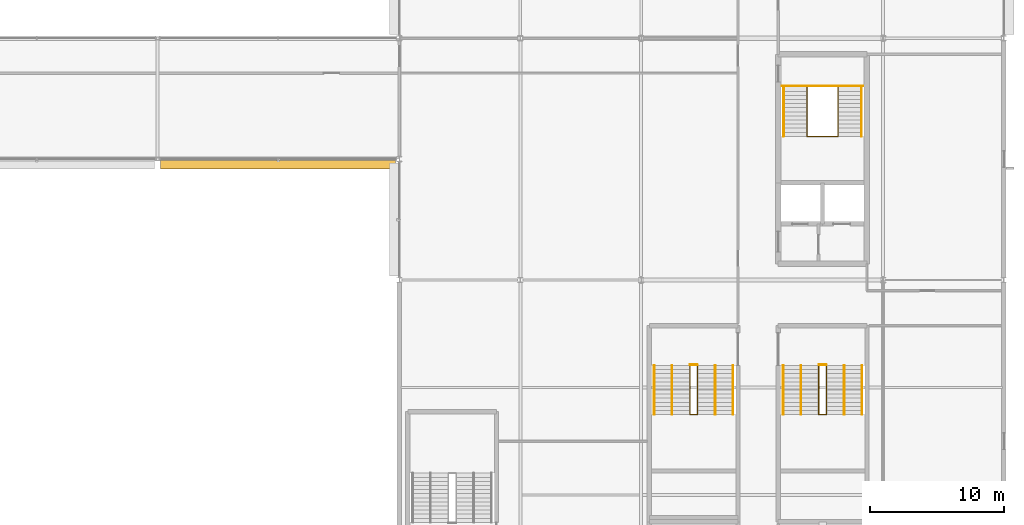
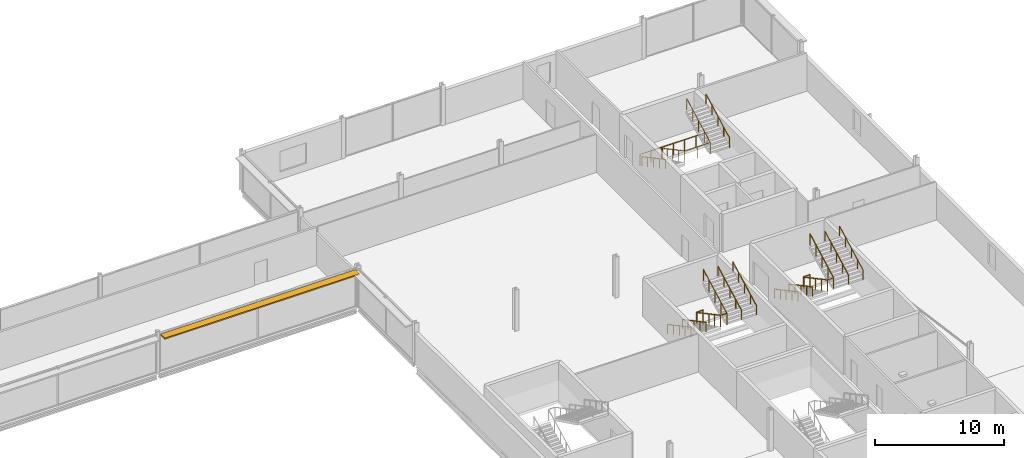
# One storey, part 96 of 98: 16 railings, 1 shading device.
"""IFC4 building model written with IfcOpenShell, lengths in metres."""

import ifcopenshell
import ifcopenshell.guid

model = None  # the IFC model being written
_history = None  # IfcOwnerHistory: only IFC2X3 demands one
_inside = {}  # id of a spatial element -> (the spatial element, [elements in it])
_under = {}  # id of a project, library or spatial element -> (it, [spatial elements below it])
_declared = {}  # id of a project -> (the project, [libraries it declares])
_typed = {}  # id of a type object -> (the type object, [elements of that type])
_made_of = {}  # id of a material, layer set ... -> (it, [elements and type objects made of it])


def new_model(schema):
    """Start an empty IFC model of exactly this schema.

    Asked for "IFC4X3", IfcOpenShell would pick the latest addendum, in which some entities
    have other attributes; the version numbers below select the first issue.
    IFC2X3 requires an IfcOwnerHistory on every rooted entity: one is made here for all.
    """
    global model, _history
    if schema == "IFC4X3":
        model = ifcopenshell.file(schema_version=(4, 3, 0, 0))
    else:
        model = ifcopenshell.file(schema=schema)
    _inside.clear()
    _under.clear()
    _declared.clear()
    _typed.clear()
    _made_of.clear()
    _history = None
    if model.schema == "IFC2X3":
        org = make("IfcOrganization", Name="unknown")
        user = make(
            "IfcPersonAndOrganization",
            ThePerson=make("IfcPerson", FamilyName="unknown"),
            TheOrganization=org,
        )
        app = make(
            "IfcApplication",
            ApplicationDeveloper=org,
            Version="unknown",
            ApplicationFullName="unknown",
            ApplicationIdentifier="unknown",
        )
        _history = make(
            "IfcOwnerHistory",
            OwningUser=user,
            OwningApplication=app,
            ChangeAction="ADDED",
            CreationDate=0,
        )
    return model


def make(cls, **values):
    """One entity of the class cls with the attributes given. An attribute that is None is left unset."""
    return model.create_entity(
        cls, **{name: value for name, value in values.items() if value is not None}
    )


def rooted(cls, **values):
    """An entity with a GlobalId (a new one), such as an element, a storey or a relation."""
    return make(cls, GlobalId=ifcopenshell.guid.new(), OwnerHistory=_history, **values)


def si_unit(unit_type, name, prefix=None):
    """IfcSIUnit, for example si_unit("LENGTHUNIT", "METRE", prefix="MILLI")."""
    return make("IfcSIUnit", UnitType=unit_type, Prefix=prefix, Name=name)


def assignment(units):
    """IfcUnitAssignment: the units of a project."""
    return None if units is None else make("IfcUnitAssignment", Units=units)


def point(xyz):
    """IfcCartesianPoint."""
    return None if xyz is None else make("IfcCartesianPoint", Coordinates=xyz)


def direction(xyz):
    """IfcDirection."""
    return None if xyz is None else make("IfcDirection", DirectionRatios=xyz)


def frame(location, z_axis=None, x_axis=None):
    """IfcAxis2Placement3D, a coordinate frame: its origin and axes. An axis left out is left unset."""
    return make(
        "IfcAxis2Placement3D",
        Location=point(location),
        Axis=direction(z_axis),
        RefDirection=direction(x_axis),
    )


def frame_2d(location, x_axis=None):
    """IfcAxis2Placement2D, a coordinate frame in the plane: its origin and x axis."""
    return make(
        "IfcAxis2Placement2D", Location=point(location), RefDirection=direction(x_axis)
    )


def origin():
    """The frame at (0, 0, 0) with its axes left unset."""
    return frame((0.0, 0.0, 0.0))


def origin_2d():
    """The frame at (0, 0) in the plane with its x axis left unset."""
    return frame_2d((0.0, 0.0))


def place(relative_to, where):
    """IfcLocalPlacement: puts the frame where relative to a parent placement (None: the world)."""
    return make(
        "IfcLocalPlacement", PlacementRelTo=relative_to, RelativePlacement=where
    )


def context(
    kind, dimensions, precision=None, world=None, true_north=None, identifier=None
):
    """IfcGeometricRepresentationContext, for example the 3D "Model" context."""
    return make(
        "IfcGeometricRepresentationContext",
        ContextIdentifier=identifier,
        ContextType=kind,
        CoordinateSpaceDimension=dimensions,
        Precision=precision,
        WorldCoordinateSystem=world,
        TrueNorth=true_north,
    )


def subcontext(parent, identifier, kind, view, scale=None):
    """IfcGeometricRepresentationSubContext, for example "Body" below "Model"."""
    return make(
        "IfcGeometricRepresentationSubContext",
        ContextIdentifier=identifier,
        ContextType=kind,
        ParentContext=parent,
        TargetScale=scale,
        TargetView=view,
    )


def project(units=None, contexts=None):
    """IfcProject with its units and contexts."""
    return rooted(
        "IfcProject",
        Name="project",
        RepresentationContexts=contexts,
        UnitsInContext=assignment(units),
    )


def spatial(cls, under=None, at=None, **own):
    """A site, building, storey or space (cls), placed at a placement, below another one or the project."""
    s = rooted(cls, ObjectPlacement=at, **own)
    if under is not None:
        _under.setdefault(under.id(), (under, []))[1].append(s)
    return s


def profile(cls, at=None, kind="AREA", **sizes):
    """A parametric profile (cls). Its sizes go by their IFC names, for example OverallWidth=200.0."""
    return make(cls, ProfileType=kind, Position=at, **sizes)


def rectangle(**sizes):
    """IfcRectangleProfileDef."""
    return profile("IfcRectangleProfileDef", **sizes)


def circle(**sizes):
    """IfcCircleProfileDef."""
    return profile("IfcCircleProfileDef", **sizes)


def extrude(swept, where, along, depth):
    """IfcExtrudedAreaSolid: the profile swept, set in the frame where, extruded along a direction by depth."""
    return make(
        "IfcExtrudedAreaSolid",
        SweptArea=swept,
        Position=where,
        ExtrudedDirection=direction(along),
        Depth=depth,
    )


def shape(context_of_items, identifier, shape_type, items):
    """IfcShapeRepresentation: the items that make up one representation, for example the "Body"."""
    return make(
        "IfcShapeRepresentation",
        ContextOfItems=context_of_items,
        RepresentationIdentifier=identifier,
        RepresentationType=shape_type,
        Items=items,
    )


def material(Name=None, Category=None):
    """IfcMaterial."""
    return make("IfcMaterial", Name=Name, Category=Category)


def made_of(thing, what):
    """Note that an element or type object is made of a material, layer set ...; save() writes the relation."""
    if what is not None:
        _made_of.setdefault(what.id(), (what, []))[1].append(thing)
    return thing


def type_object(cls, material=None, **own):
    """A type object (cls), such as IfcWallType, which elements share."""
    return made_of(rooted(cls, **own), material)


def element(
    cls,
    number,
    at=None,
    inside=None,
    cuts=None,
    type_object=None,
    material=None,
    context=None,
    identifier="Body",
    shape_type=None,
    held_by="IfcProductDefinitionShape",
    body=None,
    shapes=None,
    **own,
):
    """One element of the class cls, such as IfcWall. Its Tag is "e" and its number.

    at: its placement. inside: the storey or other place that contains it. cuts: it is an
    opening in that element (IfcRelVoidsElement). A single representation is given by context,
    identifier, shape_type and body (its items); several are given by shapes. held_by: the class
    of the entity that holds the representations. save() writes the other relations.
    """
    e = rooted(cls, Tag="e%d" % number, ObjectPlacement=at, **own)
    if body is not None:
        shapes = [shape(context, identifier, shape_type, body)]
    if shapes is not None:
        e.Representation = make(held_by, Representations=shapes)
    if inside is not None:
        _inside.setdefault(inside.id(), (inside, []))[1].append(e)
    if cuts is not None:
        rooted(
            "IfcRelVoidsElement", RelatingBuildingElement=cuts, RelatedOpeningElement=e
        )
    if type_object is not None:
        _typed.setdefault(type_object.id(), (type_object, []))[1].append(e)
    return made_of(e, material)


def aggregate(whole, parts):
    """IfcRelAggregates: a whole, such as a stair, and the parts it consists of."""
    return rooted("IfcRelAggregates", RelatingObject=whole, RelatedObjects=parts)


def save(model, path):
    """Write the relations noted so far, then the file.

    IfcRelAggregates (storeys below a building ...), IfcRelContainedInSpatialStructure (elements
    in a storey), IfcRelDefinesByType, IfcRelAssociatesMaterial and IfcRelDeclares: one each for
    every whole, place, type object, material and project.
    """
    for whole, parts in _under.values():
        aggregate(whole, parts)
    for where, things in _inside.values():
        rooted(
            "IfcRelContainedInSpatialStructure",
            RelatedElements=things,
            RelatingStructure=where,
        )
    for kind, things in _typed.values():
        rooted("IfcRelDefinesByType", RelatedObjects=things, RelatingType=kind)
    for what, things in _made_of.values():
        rooted("IfcRelAssociatesMaterial", RelatedObjects=things, RelatingMaterial=what)
    for by, libraries in _declared.values():
        rooted("IfcRelDeclares", RelatingContext=by, RelatedDefinitions=libraries)
    model.write(path)


model = new_model("IFC4")

# Units and contexts
model_context = context("Model", 3, precision=1e-05, world=origin(), true_north=direction((0.0, 1.0)))
body_context = subcontext(model_context, "Body", "Model", "MODEL_VIEW")
ifc_project = project(units=[si_unit("LENGTHUNIT", "METRE"), si_unit("AREAUNIT", "SQUARE_METRE"), si_unit("VOLUMEUNIT", "CUBIC_METRE"), si_unit("PLANEANGLEUNIT", "RADIAN"), si_unit("MASSUNIT", "GRAM", prefix="KILO")], contexts=[model_context])

# Site, building, storey
site_placement = place(None, origin())
site = spatial("IfcSite", under=ifc_project, at=site_placement, CompositionType="ELEMENT")
building_placement = place(site_placement, origin())
building = spatial("IfcBuilding", under=site, at=building_placement, Name="Kisiwana Market Hall", CompositionType="ELEMENT")
storey_placement = place(building_placement, frame((0.0, 0.0, 29.39990234375)))
storey = spatial("IfcBuildingStorey", under=building, at=storey_placement, Name="L06", CompositionType="ELEMENT", Elevation=29.39990234375)

# Railings
ifc_material_1 = material(Name="Steel S275", Category="steel")
railing_type_1 = type_object("IfcRailingType", Name="RL-GUARD-1100", PredefinedType="GUARDRAIL", material=ifc_material_1)
railing_1_placement = place(storey_placement, frame((183.35009765625, 98.3505859375, 0.0)))
element("IfcRailing", 1, at=railing_1_placement, inside=storey, type_object=railing_type_1, Name="Stair ST-E1-L06 inner-well guardrail (RL-963)", PredefinedType="GUARDRAIL", context=body_context, shape_type="SweptSolid", body=[
    extrude(circle(Radius=0.02392578125, at=origin_2d()), frame((0.0, 0.0, 1.076171875), z_axis=(0.0, -0.882541897885, 0.470233770031), x_axis=(1.0, 0.0, 0.0)), (0.0, 0.0, 1.0), 4.147216796875),
    extrude(circle(Radius=0.02392578125, at=origin_2d()), frame((0.0, -3.66015625, 3.0263671875), z_axis=(1.0, 0.0, 0.0), x_axis=(0.0, 1.0, 0.0)), (0.0, 0.0, 1.0), 2.2998046875),
    extrude(circle(Radius=0.02392578125, at=origin_2d()), frame((2.2998046875, -3.66015625, 3.0263671875), z_axis=(0.0, 0.882566327451, 0.470187917379), x_axis=(-1.0, 0.0, 0.0)), (0.0, 0.0, 1.0), 4.147216796875),
    extrude(circle(Radius=0.02099609375, at=origin_2d()), origin(), (0.0, 0.0, 1.0), 1.052001953125),
    extrude(circle(Radius=0.02099609375, at=origin_2d()), frame((0.0, -0.9150390625, 0.487548828125)), (0.0, 0.0, 1.0), 1.052001953125),
    extrude(circle(Radius=0.02099609375, at=origin_2d()), frame((0.0, -1.830078125, 0.97509765625)), (0.0, 0.0, 1.0), 1.052001953125),
    extrude(circle(Radius=0.02099609375, at=origin_2d()), frame((0.0, -2.7451171875, 1.462646484375)), (0.0, 0.0, 1.0), 1.052001953125),
    extrude(circle(Radius=0.02099609375, at=origin_2d()), frame((0.0, -3.66015625, 1.9501953125)), (0.0, 0.0, 1.0), 1.052001953125),
    extrude(circle(Radius=0.02099609375, at=origin_2d()), frame((1.14990234375, -3.66015625, 1.9501953125)), (0.0, 0.0, 1.0), 1.052001953125),
    extrude(circle(Radius=0.02099609375, at=origin_2d()), frame((2.2998046875, -3.66015625, 1.9501953125)), (0.0, 0.0, 1.0), 1.052001953125),
    extrude(circle(Radius=0.02099609375, at=origin_2d()), frame((2.2998046875, -2.7451171875, 2.437744140625)), (0.0, 0.0, 1.0), 1.052001953125),
    extrude(circle(Radius=0.02099609375, at=origin_2d()), frame((2.2998046875, -1.830078125, 2.92529296875)), (0.0, 0.0, 1.0), 1.052001953125),
    extrude(circle(Radius=0.02099609375, at=origin_2d()), frame((2.2998046875, -0.9150390625, 3.41259765625)), (0.0, 0.0, 1.0), 1.052001953125),
    extrude(circle(Radius=0.02099609375, at=origin_2d()), frame((2.2998046875, 0.0, 3.900146484375)), (0.0, 0.0, 1.0), 1.052001953125),
])
railing_2_placement = place(storey_placement, frame((181.47998046875, 98.430419921875, 0.0)))
element("IfcRailing", 2, at=railing_2_placement, inside=storey, type_object=railing_type_1, Name="Stair ST-E1-L06 landing edge guardrail (RL-966)", PredefinedType="GUARDRAIL", context=body_context, shape_type="SweptSolid", body=[
    extrude(circle(Radius=0.02392578125, at=origin_2d()), frame((0.0, 0.0, 1.076171875), z_axis=(1.0, 0.0, 0.0), x_axis=(0.0, 1.0, 0.0)), (0.0, 0.0, 1.0), 6.0400390625),
    extrude(circle(Radius=0.02099609375, at=origin_2d()), origin(), (0.0, 0.0, 1.0), 1.052001953125),
    extrude(circle(Radius=0.02099609375, at=origin_2d()), frame((1.006591796875, 0.0, 0.0)), (0.0, 0.0, 1.0), 1.052001953125),
    extrude(circle(Radius=0.02099609375, at=origin_2d()), frame((2.013427734375, 0.0, 0.0)), (0.0, 0.0, 1.0), 1.052001953125),
    extrude(circle(Radius=0.02099609375, at=origin_2d()), frame((3.02001953125, 0.0, 0.0)), (0.0, 0.0, 1.0), 1.052001953125),
    extrude(circle(Radius=0.02099609375, at=origin_2d()), frame((4.026611328125, 0.0, 0.0)), (0.0, 0.0, 1.0), 1.052001953125),
    extrude(circle(Radius=0.02099609375, at=origin_2d()), frame((5.033447265625, 0.0, 0.0)), (0.0, 0.0, 1.0), 1.052001953125),
    extrude(circle(Radius=0.02099609375, at=origin_2d()), frame((6.0400390625, 0.0, 0.0)), (0.0, 0.0, 1.0), 1.052001953125),
])
railing_3_placement = place(storey_placement, frame((184.219970703125, 77.639892578125, 0.0)))
element("IfcRailing", 3, at=railing_3_placement, inside=storey, type_object=railing_type_1, Name="Stair ST-E4-L06 inner-well guardrail (RL-985)", PredefinedType="GUARDRAIL", context=body_context, shape_type="SweptSolid", body=[
    extrude(circle(Radius=0.02392578125, at=origin_2d()), frame((0.0, 0.0, 1.076171875), z_axis=(0.0, -0.882528880096, 0.470258201201), x_axis=(1.0, 0.0, 0.0)), (0.0, 0.0, 1.0), 4.14697265625),
    extrude(circle(Radius=0.02392578125, at=origin_2d()), frame((0.0, -3.659912109375, 3.0263671875), z_axis=(1.0, 0.0, 0.0), x_axis=(0.0, 1.0, 0.0)), (0.0, 0.0, 1.0), 0.56005859375),
    extrude(circle(Radius=0.02392578125, at=origin_2d()), frame((0.56005859375, -3.659912109375, 3.0263671875), z_axis=(0.0, 0.88255331184, 0.47021234752), x_axis=(-1.0, 0.0, 0.0)), (0.0, 0.0, 1.0), 4.14697265625),
    extrude(circle(Radius=0.02099609375, at=origin_2d()), origin(), (0.0, 0.0, 1.0), 1.052001953125),
    extrude(circle(Radius=0.02099609375, at=origin_2d()), frame((0.0, -0.9150390625, 0.487548828125)), (0.0, 0.0, 1.0), 1.052001953125),
    extrude(circle(Radius=0.02099609375, at=origin_2d()), frame((0.0, -1.830078125, 0.97509765625)), (0.0, 0.0, 1.0), 1.052001953125),
    extrude(circle(Radius=0.02099609375, at=origin_2d()), frame((0.0, -2.744873046875, 1.462646484375)), (0.0, 0.0, 1.0), 1.052001953125),
    extrude(circle(Radius=0.02099609375, at=origin_2d()), frame((0.0, -3.659912109375, 1.9501953125)), (0.0, 0.0, 1.0), 1.052001953125),
    extrude(circle(Radius=0.02099609375, at=origin_2d()), frame((0.56005859375, -3.659912109375, 1.9501953125)), (0.0, 0.0, 1.0), 1.052001953125),
    extrude(circle(Radius=0.02099609375, at=origin_2d()), frame((0.56005859375, -2.744873046875, 2.437744140625)), (0.0, 0.0, 1.0), 1.052001953125),
    extrude(circle(Radius=0.02099609375, at=origin_2d()), frame((0.56005859375, -1.830078125, 2.92529296875)), (0.0, 0.0, 1.0), 1.052001953125),
    extrude(circle(Radius=0.02099609375, at=origin_2d()), frame((0.56005859375, -0.9150390625, 3.41259765625)), (0.0, 0.0, 1.0), 1.052001953125),
    extrude(circle(Radius=0.02099609375, at=origin_2d()), frame((0.56005859375, 0.0, 3.900146484375)), (0.0, 0.0, 1.0), 1.052001953125),
])
railing_4_placement = place(storey_placement, frame((184.219970703125, 77.68994140625, 0.0)))
element("IfcRailing", 4, at=railing_4_placement, inside=storey, type_object=railing_type_1, Name="Stair ST-E4-L06 landing edge guardrail (RL-990)", PredefinedType="GUARDRAIL", context=body_context, shape_type="SweptSolid", body=[
    extrude(circle(Radius=0.02392578125, at=origin_2d()), frame((0.0, 0.0, 1.076171875), z_axis=(1.0, 0.0, 0.0), x_axis=(0.0, 1.0, 0.0)), (0.0, 0.0, 1.0), 0.56005859375),
    extrude(circle(Radius=0.02099609375, at=origin_2d()), origin(), (0.0, 0.0, 1.0), 1.052001953125),
    extrude(circle(Radius=0.02099609375, at=origin_2d()), frame((0.56005859375, 0.0, 0.0)), (0.0, 0.0, 1.0), 1.052001953125),
])
railing_5_placement = place(storey_placement, frame((174.6201171875, 77.639892578125, 0.0)))
element("IfcRailing", 5, at=railing_5_placement, inside=storey, type_object=railing_type_1, Name="Stair ST-E8-L06 inner-well guardrail (RL-1009)", PredefinedType="GUARDRAIL", context=body_context, shape_type="SweptSolid", body=[
    extrude(circle(Radius=0.02392578125, at=origin_2d()), frame((0.0, 0.0, 1.076171875), z_axis=(0.0, -0.882528880096, 0.470258201201), x_axis=(1.0, 0.0, 0.0)), (0.0, 0.0, 1.0), 4.14697265625),
    extrude(circle(Radius=0.02392578125, at=origin_2d()), frame((0.0, -3.659912109375, 3.0263671875), z_axis=(1.0, 0.0, 0.0), x_axis=(0.0, 1.0, 0.0)), (0.0, 0.0, 1.0), 0.559814453125),
    extrude(circle(Radius=0.02392578125, at=origin_2d()), frame((0.559814453125, -3.659912109375, 3.0263671875), z_axis=(0.0, 0.88255331184, 0.47021234752), x_axis=(-1.0, 0.0, 0.0)), (0.0, 0.0, 1.0), 4.14697265625),
    extrude(circle(Radius=0.02099609375, at=origin_2d()), origin(), (0.0, 0.0, 1.0), 1.052001953125),
    extrude(circle(Radius=0.02099609375, at=origin_2d()), frame((0.0, -0.9150390625, 0.487548828125)), (0.0, 0.0, 1.0), 1.052001953125),
    extrude(circle(Radius=0.02099609375, at=origin_2d()), frame((0.0, -1.830078125, 0.97509765625)), (0.0, 0.0, 1.0), 1.052001953125),
    extrude(circle(Radius=0.02099609375, at=origin_2d()), frame((0.0, -2.744873046875, 1.462646484375)), (0.0, 0.0, 1.0), 1.052001953125),
    extrude(circle(Radius=0.02099609375, at=origin_2d()), frame((0.0, -3.659912109375, 1.9501953125)), (0.0, 0.0, 1.0), 1.052001953125),
    extrude(circle(Radius=0.02099609375, at=origin_2d()), frame((0.559814453125, -3.659912109375, 1.9501953125)), (0.0, 0.0, 1.0), 1.052001953125),
    extrude(circle(Radius=0.02099609375, at=origin_2d()), frame((0.559814453125, -2.744873046875, 2.437744140625)), (0.0, 0.0, 1.0), 1.052001953125),
    extrude(circle(Radius=0.02099609375, at=origin_2d()), frame((0.559814453125, -1.830078125, 2.92529296875)), (0.0, 0.0, 1.0), 1.052001953125),
    extrude(circle(Radius=0.02099609375, at=origin_2d()), frame((0.559814453125, -0.9150390625, 3.41259765625)), (0.0, 0.0, 1.0), 1.052001953125),
    extrude(circle(Radius=0.02099609375, at=origin_2d()), frame((0.559814453125, 0.0, 3.900146484375)), (0.0, 0.0, 1.0), 1.052001953125),
])
railing_6_placement = place(storey_placement, frame((174.6201171875, 77.68994140625, 0.0)))
element("IfcRailing", 6, at=railing_6_placement, inside=storey, type_object=railing_type_1, Name="Stair ST-E8-L06 landing edge guardrail (RL-1014)", PredefinedType="GUARDRAIL", context=body_context, shape_type="SweptSolid", body=[
    extrude(circle(Radius=0.02392578125, at=origin_2d()), frame((0.0, 0.0, 1.076171875), z_axis=(1.0, 0.0, 0.0), x_axis=(0.0, 1.0, 0.0)), (0.0, 0.0, 1.0), 0.559814453125),
    extrude(circle(Radius=0.02099609375, at=origin_2d()), origin(), (0.0, 0.0, 1.0), 1.052001953125),
    extrude(circle(Radius=0.02099609375, at=origin_2d()), frame((0.559814453125, 0.0, 0.0)), (0.0, 0.0, 1.0), 1.052001953125),
])
ifc_material_2 = material(Name="Steel S275", Category="steel")
railing_type_2 = type_object("IfcRailingType", Name="RL-HAND-900", PredefinedType="HANDRAIL", material=ifc_material_2)
railing_7_placement = place(storey_placement, frame((181.610107421875, 98.3505859375, 0.0)))
element("IfcRailing", 7, at=railing_7_placement, inside=storey, type_object=railing_type_2, Name="Stair ST-E1-L06 flight 1 handrail (RL-964)", PredefinedType="HANDRAIL", context=body_context, shape_type="SweptSolid", body=[
    extrude(circle(Radius=0.02392578125, at=origin_2d()), frame((0.0, 0.0, 0.8759765625), z_axis=(0.0, -0.882541897885, 0.470233770031), x_axis=(1.0, 0.0, 0.0)), (0.0, 0.0, 1.0), 4.147216796875),
    extrude(circle(Radius=0.02099609375, at=origin_2d()), origin(), (0.0, 0.0, 1.0), 0.851806640625),
    extrude(circle(Radius=0.02099609375, at=origin_2d()), frame((0.0, -0.9150390625, 0.487548828125)), (0.0, 0.0, 1.0), 0.851806640625),
    extrude(circle(Radius=0.02099609375, at=origin_2d()), frame((0.0, -1.830078125, 0.97509765625)), (0.0, 0.0, 1.0), 0.851806640625),
    extrude(circle(Radius=0.02099609375, at=origin_2d()), frame((0.0, -2.7451171875, 1.462646484375)), (0.0, 0.0, 1.0), 0.851806640625),
    extrude(circle(Radius=0.02099609375, at=origin_2d()), frame((0.0, -3.66015625, 1.9501953125)), (0.0, 0.0, 1.0), 0.851806640625),
])
railing_8_placement = place(storey_placement, frame((187.389892578125, 94.6904296875, 1.9501953125)))
element("IfcRailing", 8, at=railing_8_placement, inside=storey, type_object=railing_type_2, Name="Stair ST-E1-L06 flight 2 handrail (RL-965)", PredefinedType="HANDRAIL", context=body_context, shape_type="SweptSolid", body=[
    extrude(circle(Radius=0.02392578125, at=origin_2d()), frame((0.0, 0.0, 0.8759765625), z_axis=(0.0, 0.882566327451, 0.470187917379), x_axis=(-1.0, 0.0, 0.0)), (0.0, 0.0, 1.0), 4.147216796875),
    extrude(circle(Radius=0.02099609375, at=origin_2d()), origin(), (0.0, 0.0, 1.0), 0.851806640625),
    extrude(circle(Radius=0.02099609375, at=origin_2d()), frame((0.0, 0.9150390625, 0.487548828125)), (0.0, 0.0, 1.0), 0.851806640625),
    extrude(circle(Radius=0.02099609375, at=origin_2d()), frame((0.0, 1.830078125, 0.97509765625)), (0.0, 0.0, 1.0), 0.851806640625),
    extrude(circle(Radius=0.02099609375, at=origin_2d()), frame((0.0, 2.7451171875, 1.46240234375)), (0.0, 0.0, 1.0), 0.851806640625),
    extrude(circle(Radius=0.02099609375, at=origin_2d()), frame((0.0, 3.66015625, 1.949951171875)), (0.0, 0.0, 1.0), 0.851806640625),
])
railing_9_placement = place(storey_placement, frame((181.570068359375, 77.639892578125, 0.0)))
element("IfcRailing", 9, at=railing_9_placement, inside=storey, type_object=railing_type_2, Name="Stair ST-E4-L06 flight 1 handrail (RL-986)", PredefinedType="HANDRAIL", context=body_context, shape_type="SweptSolid", body=[
    extrude(circle(Radius=0.02392578125, at=origin_2d()), frame((0.0, 0.0, 0.8759765625), z_axis=(0.0, -0.882528880096, 0.470258201201), x_axis=(1.0, 0.0, 0.0)), (0.0, 0.0, 1.0), 4.14697265625),
    extrude(circle(Radius=0.02099609375, at=origin_2d()), origin(), (0.0, 0.0, 1.0), 0.851806640625),
    extrude(circle(Radius=0.02099609375, at=origin_2d()), frame((0.0, -0.9150390625, 0.487548828125)), (0.0, 0.0, 1.0), 0.851806640625),
    extrude(circle(Radius=0.02099609375, at=origin_2d()), frame((0.0, -1.830078125, 0.97509765625)), (0.0, 0.0, 1.0), 0.851806640625),
    extrude(circle(Radius=0.02099609375, at=origin_2d()), frame((0.0, -2.744873046875, 1.462646484375)), (0.0, 0.0, 1.0), 0.851806640625),
    extrude(circle(Radius=0.02099609375, at=origin_2d()), frame((0.0, -3.659912109375, 1.9501953125)), (0.0, 0.0, 1.0), 0.851806640625),
])
railing_10_placement = place(storey_placement, frame((187.429931640625, 73.97998046875, 1.9501953125)))
element("IfcRailing", 10, at=railing_10_placement, inside=storey, type_object=railing_type_2, Name="Stair ST-E4-L06 flight 2 handrail (RL-987)", PredefinedType="HANDRAIL", context=body_context, shape_type="SweptSolid", body=[
    extrude(circle(Radius=0.02392578125, at=origin_2d()), frame((0.0, 0.0, 0.8759765625), z_axis=(0.0, 0.88255331184, 0.47021234752), x_axis=(-1.0, 0.0, 0.0)), (0.0, 0.0, 1.0), 4.14697265625),
    extrude(circle(Radius=0.02099609375, at=origin_2d()), origin(), (0.0, 0.0, 1.0), 0.851806640625),
    extrude(circle(Radius=0.02099609375, at=origin_2d()), frame((0.0, 0.9150390625, 0.487548828125)), (0.0, 0.0, 1.0), 0.851806640625),
    extrude(circle(Radius=0.02099609375, at=origin_2d()), frame((0.0, 1.830078125, 0.97509765625)), (0.0, 0.0, 1.0), 0.851806640625),
    extrude(circle(Radius=0.02099609375, at=origin_2d()), frame((0.0, 2.744873046875, 1.46240234375)), (0.0, 0.0, 1.0), 0.851806640625),
    extrude(circle(Radius=0.02099609375, at=origin_2d()), frame((0.0, 3.659912109375, 1.949951171875)), (0.0, 0.0, 1.0), 0.851806640625),
])
railing_11_placement = place(storey_placement, frame((182.889892578125, 77.639892578125, 0.0)))
element("IfcRailing", 11, at=railing_11_placement, inside=storey, type_object=railing_type_2, Name="Stair ST-E4-L06 flight 1 intermediate handrail (RL-988)", PredefinedType="HANDRAIL", context=body_context, shape_type="SweptSolid", body=[
    extrude(circle(Radius=0.02392578125, at=origin_2d()), frame((0.0, 0.0, 0.8759765625), z_axis=(0.0, -0.882528880096, 0.470258201201), x_axis=(1.0, 0.0, 0.0)), (0.0, 0.0, 1.0), 4.14697265625),
    extrude(circle(Radius=0.02099609375, at=origin_2d()), origin(), (0.0, 0.0, 1.0), 0.851806640625),
    extrude(circle(Radius=0.02099609375, at=origin_2d()), frame((0.0, -0.9150390625, 0.487548828125)), (0.0, 0.0, 1.0), 0.851806640625),
    extrude(circle(Radius=0.02099609375, at=origin_2d()), frame((0.0, -1.830078125, 0.97509765625)), (0.0, 0.0, 1.0), 0.851806640625),
    extrude(circle(Radius=0.02099609375, at=origin_2d()), frame((0.0, -2.744873046875, 1.462646484375)), (0.0, 0.0, 1.0), 0.851806640625),
    extrude(circle(Radius=0.02099609375, at=origin_2d()), frame((0.0, -3.659912109375, 1.9501953125)), (0.0, 0.0, 1.0), 0.851806640625),
])
railing_12_placement = place(storey_placement, frame((186.110107421875, 73.97998046875, 1.9501953125)))
element("IfcRailing", 12, at=railing_12_placement, inside=storey, type_object=railing_type_2, Name="Stair ST-E4-L06 flight 2 intermediate handrail (RL-989)", PredefinedType="HANDRAIL", context=body_context, shape_type="SweptSolid", body=[
    extrude(circle(Radius=0.02392578125, at=origin_2d()), frame((0.0, 0.0, 0.8759765625), z_axis=(0.0, 0.88255331184, 0.47021234752), x_axis=(-1.0, 0.0, 0.0)), (0.0, 0.0, 1.0), 4.14697265625),
    extrude(circle(Radius=0.02099609375, at=origin_2d()), origin(), (0.0, 0.0, 1.0), 0.851806640625),
    extrude(circle(Radius=0.02099609375, at=origin_2d()), frame((0.0, 0.9150390625, 0.487548828125)), (0.0, 0.0, 1.0), 0.851806640625),
    extrude(circle(Radius=0.02099609375, at=origin_2d()), frame((0.0, 1.830078125, 0.97509765625)), (0.0, 0.0, 1.0), 0.851806640625),
    extrude(circle(Radius=0.02099609375, at=origin_2d()), frame((0.0, 2.744873046875, 1.46240234375)), (0.0, 0.0, 1.0), 0.851806640625),
    extrude(circle(Radius=0.02099609375, at=origin_2d()), frame((0.0, 3.659912109375, 1.949951171875)), (0.0, 0.0, 1.0), 0.851806640625),
])
railing_13_placement = place(storey_placement, frame((171.969970703125, 77.639892578125, 0.0)))
element("IfcRailing", 13, at=railing_13_placement, inside=storey, type_object=railing_type_2, Name="Stair ST-E8-L06 flight 1 handrail (RL-1010)", PredefinedType="HANDRAIL", context=body_context, shape_type="SweptSolid", body=[
    extrude(circle(Radius=0.02392578125, at=origin_2d()), frame((0.0, 0.0, 0.8759765625), z_axis=(0.0, -0.882528880096, 0.470258201201), x_axis=(1.0, 0.0, 0.0)), (0.0, 0.0, 1.0), 4.14697265625),
    extrude(circle(Radius=0.02099609375, at=origin_2d()), origin(), (0.0, 0.0, 1.0), 0.851806640625),
    extrude(circle(Radius=0.02099609375, at=origin_2d()), frame((0.0, -0.9150390625, 0.487548828125)), (0.0, 0.0, 1.0), 0.851806640625),
    extrude(circle(Radius=0.02099609375, at=origin_2d()), frame((0.0, -1.830078125, 0.97509765625)), (0.0, 0.0, 1.0), 0.851806640625),
    extrude(circle(Radius=0.02099609375, at=origin_2d()), frame((0.0, -2.744873046875, 1.462646484375)), (0.0, 0.0, 1.0), 0.851806640625),
    extrude(circle(Radius=0.02099609375, at=origin_2d()), frame((0.0, -3.659912109375, 1.9501953125)), (0.0, 0.0, 1.0), 0.851806640625),
])
railing_14_placement = place(storey_placement, frame((177.830078125, 73.97998046875, 1.9501953125)))
element("IfcRailing", 14, at=railing_14_placement, inside=storey, type_object=railing_type_2, Name="Stair ST-E8-L06 flight 2 handrail (RL-1011)", PredefinedType="HANDRAIL", context=body_context, shape_type="SweptSolid", body=[
    extrude(circle(Radius=0.02392578125, at=origin_2d()), frame((0.0, 0.0, 0.8759765625), z_axis=(0.0, 0.88255331184, 0.47021234752), x_axis=(-1.0, 0.0, 0.0)), (0.0, 0.0, 1.0), 4.14697265625),
    extrude(circle(Radius=0.02099609375, at=origin_2d()), origin(), (0.0, 0.0, 1.0), 0.851806640625),
    extrude(circle(Radius=0.02099609375, at=origin_2d()), frame((0.0, 0.9150390625, 0.487548828125)), (0.0, 0.0, 1.0), 0.851806640625),
    extrude(circle(Radius=0.02099609375, at=origin_2d()), frame((0.0, 1.830078125, 0.97509765625)), (0.0, 0.0, 1.0), 0.851806640625),
    extrude(circle(Radius=0.02099609375, at=origin_2d()), frame((0.0, 2.744873046875, 1.46240234375)), (0.0, 0.0, 1.0), 0.851806640625),
    extrude(circle(Radius=0.02099609375, at=origin_2d()), frame((0.0, 3.659912109375, 1.949951171875)), (0.0, 0.0, 1.0), 0.851806640625),
])
railing_15_placement = place(storey_placement, frame((173.2900390625, 77.639892578125, 0.0)))
element("IfcRailing", 15, at=railing_15_placement, inside=storey, type_object=railing_type_2, Name="Stair ST-E8-L06 flight 1 intermediate handrail (RL-1012)", PredefinedType="HANDRAIL", context=body_context, shape_type="SweptSolid", body=[
    extrude(circle(Radius=0.02392578125, at=origin_2d()), frame((0.0, 0.0, 0.8759765625), z_axis=(0.0, -0.882528880096, 0.470258201201), x_axis=(1.0, 0.0, 0.0)), (0.0, 0.0, 1.0), 4.14697265625),
    extrude(circle(Radius=0.02099609375, at=origin_2d()), origin(), (0.0, 0.0, 1.0), 0.851806640625),
    extrude(circle(Radius=0.02099609375, at=origin_2d()), frame((0.0, -0.9150390625, 0.487548828125)), (0.0, 0.0, 1.0), 0.851806640625),
    extrude(circle(Radius=0.02099609375, at=origin_2d()), frame((0.0, -1.830078125, 0.97509765625)), (0.0, 0.0, 1.0), 0.851806640625),
    extrude(circle(Radius=0.02099609375, at=origin_2d()), frame((0.0, -2.744873046875, 1.462646484375)), (0.0, 0.0, 1.0), 0.851806640625),
    extrude(circle(Radius=0.02099609375, at=origin_2d()), frame((0.0, -3.659912109375, 1.9501953125)), (0.0, 0.0, 1.0), 0.851806640625),
])
railing_16_placement = place(storey_placement, frame((176.510009765625, 73.97998046875, 1.9501953125)))
element("IfcRailing", 16, at=railing_16_placement, inside=storey, type_object=railing_type_2, Name="Stair ST-E8-L06 flight 2 intermediate handrail (RL-1013)", PredefinedType="HANDRAIL", context=body_context, shape_type="SweptSolid", body=[
    extrude(circle(Radius=0.02392578125, at=origin_2d()), frame((0.0, 0.0, 0.8759765625), z_axis=(0.0, 0.88255331184, 0.47021234752), x_axis=(-1.0, 0.0, 0.0)), (0.0, 0.0, 1.0), 4.14697265625),
    extrude(circle(Radius=0.02099609375, at=origin_2d()), origin(), (0.0, 0.0, 1.0), 0.851806640625),
    extrude(circle(Radius=0.02099609375, at=origin_2d()), frame((0.0, 0.9150390625, 0.487548828125)), (0.0, 0.0, 1.0), 0.851806640625),
    extrude(circle(Radius=0.02099609375, at=origin_2d()), frame((0.0, 1.830078125, 0.97509765625)), (0.0, 0.0, 1.0), 0.851806640625),
    extrude(circle(Radius=0.02099609375, at=origin_2d()), frame((0.0, 2.744873046875, 1.46240234375)), (0.0, 0.0, 1.0), 0.851806640625),
    extrude(circle(Radius=0.02099609375, at=origin_2d()), frame((0.0, 3.659912109375, 1.949951171875)), (0.0, 0.0, 1.0), 0.851806640625),
])

# Shading device
ifc_material_3 = material(Name="Aluminium alloy 6063-T6", Category="aluminium")
shading_device_type = type_object("IfcShadingDeviceType", Name="SHD-JALOUSIE-H", PredefinedType="JALOUSIE", material=ifc_material_3)
shading_device_placement = place(storey_placement, frame((143.969970703125, 92.580078125, 3.43994140625), z_axis=(0.0, 0.0, 1.0), x_axis=(1.0, 0.0, 0.0)))
element("IfcShadingDevice", 17, at=shading_device_placement, inside=storey, type_object=shading_device_type, Name="Aluminium brise-soleil louvre SHD-141 SD-141", PredefinedType="JALOUSIE", context=body_context, shape_type="SweptSolid", body=[
    extrude(rectangle(XDim=17.48974609375, YDim=0.64990234375, at=origin_2d()), origin(), (0.0, 0.0, 1.0), 0.1201171875),
])

save(model, "model.ifc")
